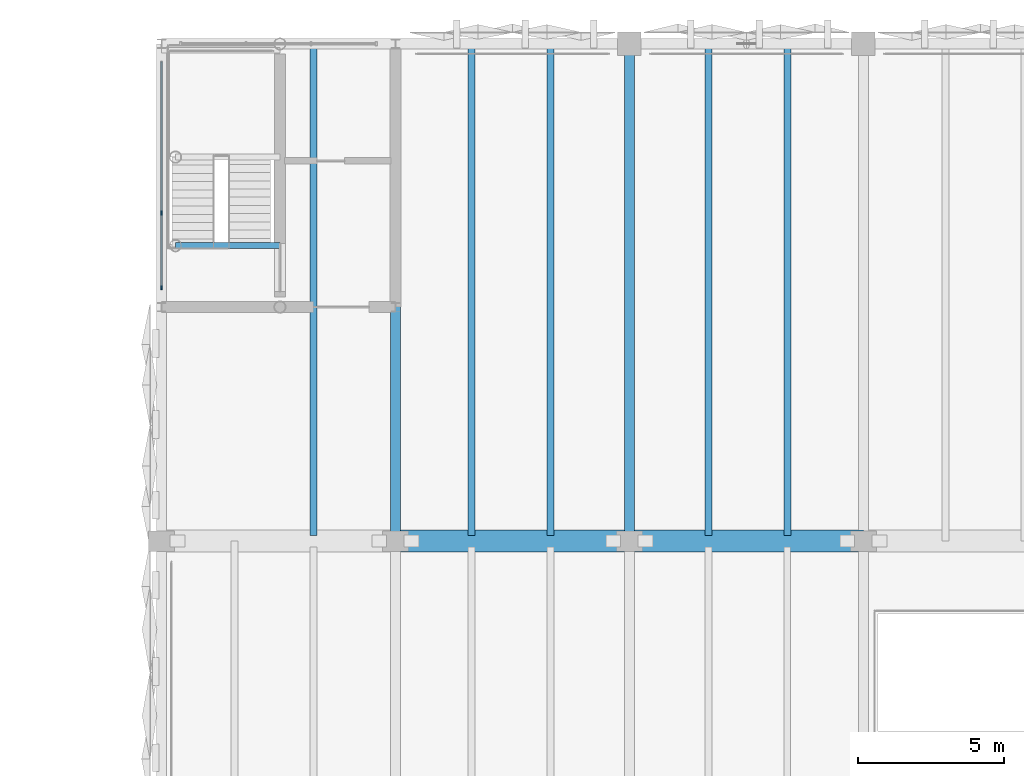
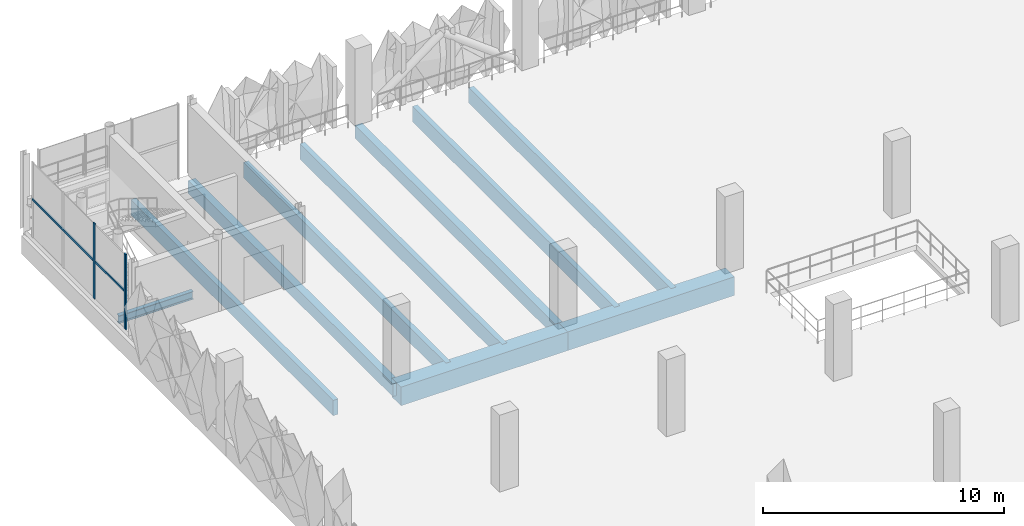
# One storey, part 30 of 123: 10 beams, 3 members, 1 element without a shape of its own.
"""IFC4 building model written with IfcOpenShell, lengths in metres."""

from ifc_helpers import new_model, si_unit, derived_unit, direction, frame, origin, origin_2d, place, context, subcontext, project, spatial, rectangle, i_section, extrude, material, layer, layer_set, material_profile, profile_set, type_object, element, aggregate, save


model = new_model("IFC4")

# Units and contexts
model_context = context("Model", 3, precision=1e-05, world=origin(), true_north=direction((0.0, 1.0)))
body_context = subcontext(model_context, "Body", "Model", "MODEL_VIEW")
ifc_project = project(units=[si_unit("LENGTHUNIT", "METRE"), si_unit("AREAUNIT", "SQUARE_METRE"), si_unit("VOLUMEUNIT", "CUBIC_METRE"), si_unit("PLANEANGLEUNIT", "RADIAN"), si_unit("MASSUNIT", "GRAM", prefix="KILO"), si_unit("THERMODYNAMICTEMPERATUREUNIT", "KELVIN"), derived_unit("THERMALTRANSMITTANCEUNIT", [(si_unit("POWERUNIT", "WATT"), 1), (si_unit("AREAUNIT", "SQUARE_METRE"), -1), (si_unit("THERMODYNAMICTEMPERATUREUNIT", "KELVIN"), -1)])], contexts=[model_context])

# Site, building, storey
site_placement = place(None, origin())
site = spatial("IfcSite", under=ifc_project, at=site_placement, CompositionType="ELEMENT")
building_placement = place(site_placement, origin())
building = spatial("IfcBuilding", under=site, at=building_placement, Name="Haiyu Intermodal Mobility Hub", CompositionType="ELEMENT")
storey_placement = place(building_placement, frame((0.0, 0.0, 5.60009765625)))
storey = spatial("IfcBuildingStorey", under=building, at=storey_placement, Name="L01", CompositionType="ELEMENT", Elevation=5.60009765625)

# Beams
ifc_material_1 = material(Name="Concrete C40", Category="concrete")
ifc_material_profile_1 = material_profile(ifc_material_1, rectangle(XDim=0.35009765625, YDim=0.64990234375, at=origin_2d()), Name="RCB350x650")
ifc_profile_set_1 = profile_set([ifc_material_profile_1], Name="Concrete C40")
beam_type_1 = type_object("IfcBeamType", Name="BM-CB04", PredefinedType="BEAM", material=ifc_profile_set_1)
for number, where, z_axis, x_axis, name in (
    (1, (30.0, 131.0, -0.60009765625), (0.0, 1.0, 0.0), (-1.0, 0.0, 0.0), "BM-V4E-L01-006"),
    (2, (38.0, 131.0, -0.60009765625), (0.0, 1.0, 0.0), (-1.0, 0.0, 0.0), "BM-V4E-L01-009"),
):
    element("IfcBeam", number, at=place(storey_placement, frame(where, z_axis=z_axis, x_axis=x_axis)), inside=storey, type_object=beam_type_1, Name=name, PredefinedType="BEAM", context=body_context, shape_type="SweptSolid", body=[
        extrude(rectangle(XDim=0.35009765625, YDim=0.64990234375, at=origin_2d()), origin(), (0.0, 0.0, 1.0), 17.0),
    ])
ifc_material_2 = material(Name="Precast concrete C50", Category="concrete")
ifc_material_profile_2 = material_profile(ifc_material_2, rectangle(XDim=0.239990234375, YDim=0.780029296875, at=origin_2d()), Name="PC240x780")
ifc_profile_set_2 = profile_set([ifc_material_profile_2], Name="Precast concrete C50")
beam_type_2 = type_object("IfcBeamType", Name="BM-DT01", PredefinedType="JOIST", material=ifc_profile_set_2)
for number, where, z_axis, x_axis, name in (
    (3, (27.199951171875, 131.195068359375, -0.6650390625), (0.0, 1.0, 0.0), (-1.0, 0.0, 0.0), "BM-DT-L01-006"),
    (4, (32.60009765625, 131.195068359375, -0.6650390625), (0.0, 1.0, 0.0), (-1.0, 0.0, 0.0), "BM-DT-L01-009"),
    (5, (35.300048828125, 131.195068359375, -0.6650390625), (0.0, 1.0, 0.0), (-1.0, 0.0, 0.0), "BM-DT-L01-012"),
    (6, (40.699951171875, 131.195068359375, -0.6650390625), (0.0, 1.0, 0.0), (-1.0, 0.0, 0.0), "BM-DT-L01-015"),
    (7, (43.39990234375, 131.195068359375, -0.6650390625), (0.0, 1.0, 0.0), (-1.0, 0.0, 0.0), "BM-DT-L01-018"),
):
    element("IfcBeam", number, at=place(storey_placement, frame(where, z_axis=z_axis, x_axis=x_axis)), inside=storey, type_object=beam_type_2, Name=name, PredefinedType="JOIST", context=body_context, shape_type="SweptSolid", body=[
        extrude(rectangle(XDim=0.239990234375, YDim=0.780029296875, at=origin_2d()), origin(), (0.0, 0.0, 1.0), 16.804931640625),
    ])
ifc_material_profile_3 = material_profile(ifc_material_2, rectangle(XDim=0.75, YDim=0.949951171875, at=origin_2d()), Name="PC750x950")
ifc_profile_set_3 = profile_set([ifc_material_profile_3], Name="Precast concrete C50")
beam_type_3 = type_object("IfcBeamType", Name="BM-IT01", PredefinedType="T_BEAM", material=ifc_profile_set_3)
for number, where, z_axis, x_axis, name in (
    (8, (30.0, 131.0, -0.75), (1.0, 0.0, 0.0), (0.0, 1.0, 0.0), "BM-V4G-L01-034"),
    (9, (38.0, 131.0, -0.75), (1.0, 0.0, 0.0), (0.0, 1.0, 0.0), "BM-V4G-L01-035"),
):
    element("IfcBeam", number, at=place(storey_placement, frame(where, z_axis=z_axis, x_axis=x_axis)), inside=storey, type_object=beam_type_3, Name=name, PredefinedType="T_BEAM", context=body_context, shape_type="SweptSolid", body=[
        extrude(rectangle(XDim=0.75, YDim=0.949951171875, at=origin_2d()), origin(), (0.0, 0.0, 1.0), 8.0),
    ])
ifc_material_3 = material(Name="Steel Q355C", Category="steel")
ifc_material_profile_4 = material_profile(ifc_material_3, i_section(OverallWidth=0.199951171875, OverallDepth=0.39990234375, WebThickness=0.008056640625, FlangeThickness=0.012939453125, FilletRadius=0.01611328125, at=origin_2d()), Name="HN400x200x8x13")
ifc_profile_set_4 = profile_set([ifc_material_profile_4], Name="Steel Q355C")
beam_type_4 = type_object("IfcBeamType", Name="BM-SB08", PredefinedType="JOIST", material=ifc_profile_set_4)
beam_placement = place(storey_placement, frame((22.47998046875, 141.10009765625, -0.525146484375), z_axis=(1.0, 0.0, 0.0), x_axis=(0.0, 1.0, 0.0)))
element("IfcBeam", 10, at=beam_placement, inside=storey, type_object=beam_type_4, Name="Stair Arrival Trimmer Beam C3-L00", PredefinedType="JOIST", context=body_context, shape_type="SweptSolid", body=[
    extrude(i_section(OverallWidth=0.199951171875, OverallDepth=0.39990234375, WebThickness=0.008056640625, FlangeThickness=0.012939453125, FilletRadius=0.01611328125, at=origin_2d()), origin(), (0.0, 0.0, 1.0), 3.570068359375),
])

# Curtain wall, members
ifc_material_4 = material(Name="Low-e laminated insulating glass", Category="glass")
ifc_layer = layer(ifc_material_4, 0.199951171875)
ifc_layer_set = layer_set([ifc_layer], Name="Low-e laminated insulating glass")
curtain_wall_type = type_object("IfcCurtainWallType", Name="CW-CW03", PredefinedType="NOTDEFINED", material=ifc_layer_set)
curtain_wall_placement = place(storey_placement, origin())
curtain_wall = element("IfcCurtainWall", 11, at=curtain_wall_placement, inside=storey, type_object=curtain_wall_type, Name="Curtain Wall CW-C3S-L01-052", PredefinedType="NOTDEFINED")
ifc_material_5 = material(Name="Anodised aluminium 6063-T6", Category="aluminium")
ifc_material_profile_5 = material_profile(ifc_material_5, rectangle(XDim=0.06005859375, YDim=0.14501953125, at=origin_2d()), Name="ALU60x145")
ifc_profile_set_5 = profile_set([ifc_material_profile_5], Name="Anodised aluminium 6063-T6")
member_type_1 = type_object("IfcMemberType", Name="CWM-ML03", PredefinedType="MULLION", material=ifc_profile_set_5)
member_1_placement = place(storey_placement, frame((22.0, 142.219970703125, 0.0), z_axis=(0.0, 0.0, 1.0), x_axis=(1.0, 0.0, 0.0)))
member_1 = element("IfcMember", 12, at=member_1_placement, type_object=member_type_1, Name="CW-C3S-L01-052-ML03", PredefinedType="MULLION", context=body_context, shape_type="SweptSolid", body=[
    extrude(rectangle(XDim=0.06005859375, YDim=0.14501953125, at=origin_2d()), origin(), (0.0, 0.0, 1.0), 3.81982421875),
])
member_2_placement = place(storey_placement, frame((22.0, 139.659912109375, 0.0), z_axis=(0.0, 0.0, 1.0), x_axis=(1.0, 0.0, 0.0)))
member_2 = element("IfcMember", 13, at=member_2_placement, type_object=member_type_1, Name="CW-C3S-L01-052-ML04", PredefinedType="MULLION", context=body_context, shape_type="SweptSolid", body=[
    extrude(rectangle(XDim=0.06005859375, YDim=0.14501953125, at=origin_2d()), origin(), (0.0, 0.0, 1.0), 3.81982421875),
])
ifc_material_profile_6 = material_profile(ifc_material_5, rectangle(XDim=0.06005859375, YDim=0.114990234375, at=origin_2d()), Name="ALU60x115")
ifc_profile_set_6 = profile_set([ifc_material_profile_6], Name="Anodised aluminium 6063-T6")
member_type_2 = type_object("IfcMemberType", Name="CWM-TR03", PredefinedType="USERDEFINED", material=ifc_profile_set_6)
member_3_placement = place(storey_placement, frame((22.0, 147.3798828125, 1.909912109375), z_axis=(0.0, -1.0, 0.0), x_axis=(1.0, 0.0, 0.0)))
member_3 = element("IfcMember", 14, at=member_3_placement, type_object=member_type_2, Name="CW-C3S-L01-052-TR01", ObjectType="TRANSOM", PredefinedType="USERDEFINED", context=body_context, shape_type="SweptSolid", body=[
    extrude(rectangle(XDim=0.06005859375, YDim=0.114990234375, at=origin_2d()), origin(), (0.0, 0.0, 1.0), 7.759765625),
])
aggregate(curtain_wall, [member_1, member_2, member_3])

save(model, "model.ifc")
